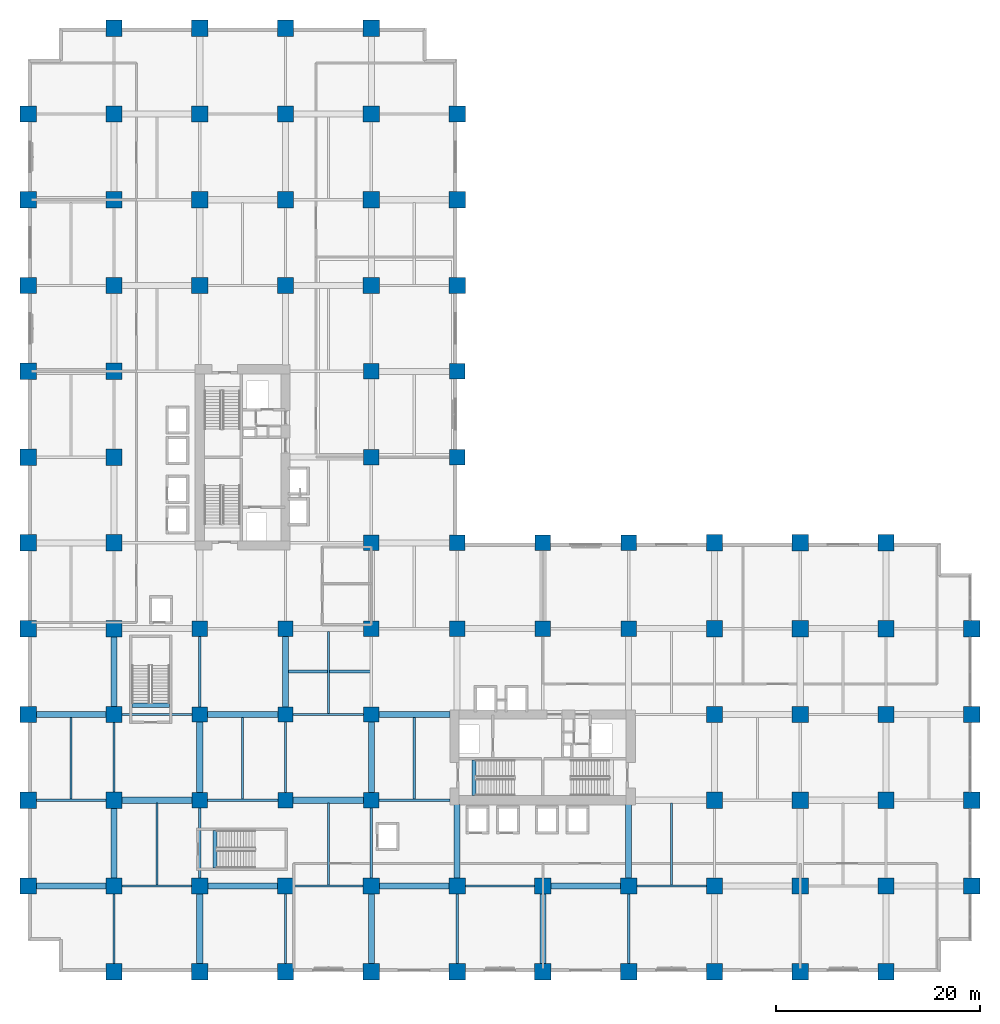
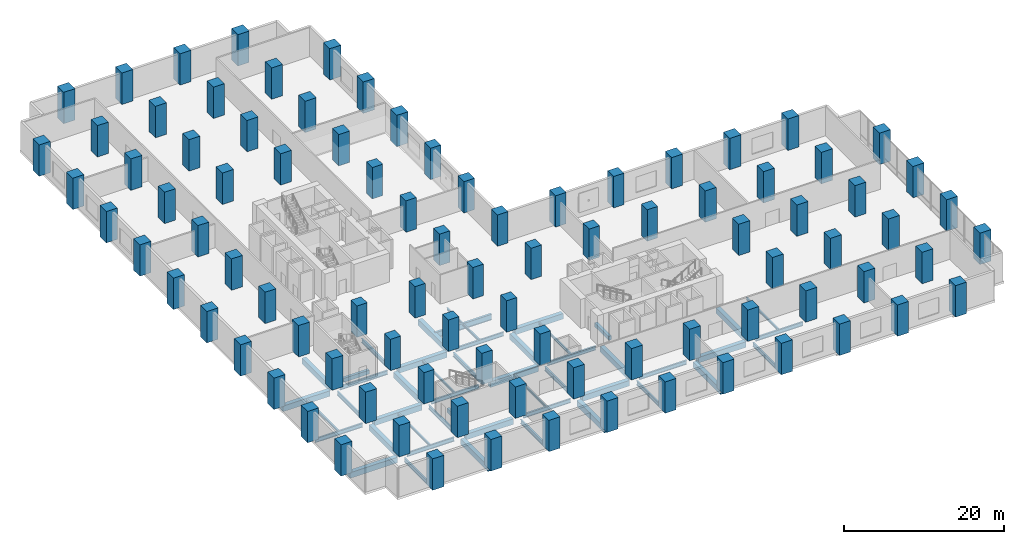
# One storey, part 1 of 22: 91 columns, 48 beams.
"""IFC4 building model written with IfcOpenShell, lengths in metres."""

from ifc_helpers import new_model, si_unit, direction, frame, origin, origin_2d, place, context, subcontext, project, spatial, rectangle, i_section, extrude, material, material_profile, profile_set, type_object, element, save


model = new_model("IFC4")

# Units and contexts
model_context = context("Model", 3, precision=1e-05, world=origin(), true_north=direction((0.0, 1.0)))
body_context = subcontext(model_context, "Body", "Model", "MODEL_VIEW")
ifc_project = project(units=[si_unit("LENGTHUNIT", "METRE"), si_unit("AREAUNIT", "SQUARE_METRE"), si_unit("VOLUMEUNIT", "CUBIC_METRE"), si_unit("PLANEANGLEUNIT", "RADIAN"), si_unit("MASSUNIT", "GRAM", prefix="KILO")], contexts=[model_context])

# Site, building, storey
site_placement = place(None, origin())
site = spatial("IfcSite", under=ifc_project, at=site_placement, CompositionType="ELEMENT")
building_placement = place(site_placement, origin())
building = spatial("IfcBuilding", under=site, at=building_placement, Name="Koriwani Terraces Tower", CompositionType="ELEMENT")
storey_placement = place(building_placement, frame((0.0, 0.0, 10.800048828125)))
storey = spatial("IfcBuildingStorey", under=building, at=storey_placement, Name="L02", CompositionType="ELEMENT", Elevation=10.800048828125)

# Columns
ifc_material_1 = material(Name="Concrete C60/75", Category="concrete")
ifc_material_profile_1 = material_profile(ifc_material_1, rectangle(XDim=1.5, YDim=1.5, at=origin_2d()), Name="Concrete C60/75", Category="LoadBearing")
ifc_profile_set_1 = profile_set([ifc_material_profile_1], Name="Concrete C60/75")
column_type_1 = type_object("IfcColumnType", Name="COL_RC_1500X1500", PredefinedType="COLUMN", material=ifc_profile_set_1)
for number, where, z_axis, x_axis, name in (
    (1, (16.800048828125, 16.800048828125, 0.0), (0.0, 0.0, 1.0), (1.0, 0.0, 0.0), "L02 Column 3/C"),
    (2, (16.800048828125, 25.199951171875, 0.0), (0.0, 0.0, 1.0), (1.0, 0.0, 0.0), "L02 Column 3/D"),
    (3, (16.800048828125, 33.60009765625, 0.0), (0.0, 0.0, 1.0), (1.0, 0.0, 0.0), "L02 Column 3/E"),
    (4, (25.199951171875, 16.800048828125, 0.0), (0.0, 0.0, 1.0), (1.0, 0.0, 0.0), "L02 Column 4/C"),
    (5, (25.199951171875, 25.199951171875, 0.0), (0.0, 0.0, 1.0), (1.0, 0.0, 0.0), "L02 Column 4/D"),
    (6, (25.199951171875, 33.60009765625, 0.0), (0.0, 0.0, 1.0), (1.0, 0.0, 0.0), "L02 Column 4/E"),
    (7, (33.60009765625, 16.800048828125, 0.0), (0.0, 0.0, 1.0), (1.0, 0.0, 0.0), "L02 Column 5/C"),
    (8, (33.60009765625, 25.199951171875, 0.0), (0.0, 0.0, 1.0), (1.0, 0.0, 0.0), "L02 Column 5/D"),
    (9, (33.60009765625, 33.60009765625, 0.0), (0.0, 0.0, 1.0), (1.0, 0.0, 0.0), "L02 Column 5/E"),
    (10, (33.60009765625, 42.0, 0.0), (0.0, 0.0, 1.0), (1.0, 0.0, 0.0), "L02 Column 5/F"),
    (11, (33.60009765625, 50.39990234375, 0.0), (0.0, 0.0, 1.0), (1.0, 0.0, 0.0), "L02 Column 5/G"),
    (12, (33.60009765625, 58.800048828125, 0.0), (0.0, 0.0, 1.0), (1.0, 0.0, 0.0), "L02 Column 5/H"),
    (13, (42.0, 33.60009765625, 0.0), (0.0, 0.0, 1.0), (1.0, 0.0, 0.0), "L02 Column 6/E"),
    (14, (42.0, 42.0, 0.0), (0.0, 0.0, 1.0), (1.0, 0.0, 0.0), "L02 Column 6/F"),
    (15, (42.0, 50.39990234375, 0.0), (0.0, 0.0, 1.0), (1.0, 0.0, 0.0), "L02 Column 6/G"),
    (16, (42.0, 58.800048828125, 0.0), (0.0, 0.0, 1.0), (1.0, 0.0, 0.0), "L02 Column 6/H"),
    (17, (50.39990234375, 33.60009765625, 0.0), (0.0, 0.0, 1.0), (1.0, 0.0, 0.0), "L02 Column 7/E"),
    (18, (50.39990234375, 42.0, 0.0), (0.0, 0.0, 1.0), (1.0, 0.0, 0.0), "L02 Column 7/F"),
    (19, (58.800048828125, 33.60009765625, 0.0), (0.0, 0.0, 1.0), (1.0, 0.0, 0.0), "L02 Column 8/E"),
    (20, (58.800048828125, 42.0, 0.0), (0.0, 0.0, 1.0), (1.0, 0.0, 0.0), "L02 Column 8/F"),
):
    element("IfcColumn", number, at=place(storey_placement, frame(where, z_axis=z_axis, x_axis=x_axis)), inside=storey, type_object=column_type_1, Name=name, PredefinedType="COLUMN", context=body_context, shape_type="SweptSolid", body=[
        extrude(rectangle(XDim=1.5, YDim=1.5, at=origin_2d()), origin(), (0.0, 0.0, 1.0), 4.800048828125),
    ])
ifc_material_profile_2 = material_profile(ifc_material_1, rectangle(XDim=1.60009765625, YDim=1.60009765625, at=origin_2d()), Name="Concrete C60/75", Category="LoadBearing")
ifc_profile_set_2 = profile_set([ifc_material_profile_2], Name="Concrete C60/75")
column_type_2 = type_object("IfcColumnType", Name="COL_RC_1600X1600", PredefinedType="COLUMN", material=ifc_profile_set_2)
for number, where, z_axis, x_axis, name in (
    (21, (0.0, 8.39990234375, 0.0), (0.0, 0.0, 1.0), (1.0, 0.0, 0.0), "L02 Column 1/B"),
    (22, (0.0, 16.800048828125, 0.0), (0.0, 0.0, 1.0), (1.0, 0.0, 0.0), "L02 Column 1/C"),
    (23, (0.0, 25.199951171875, 0.0), (0.0, 0.0, 1.0), (1.0, 0.0, 0.0), "L02 Column 1/D"),
    (24, (0.0, 33.60009765625, 0.0), (0.0, 0.0, 1.0), (1.0, 0.0, 0.0), "L02 Column 1/E"),
    (25, (0.0, 42.0, 0.0), (0.0, 0.0, 1.0), (1.0, 0.0, 0.0), "L02 Column 1/F"),
    (26, (0.0, 50.39990234375, 0.0), (0.0, 0.0, 1.0), (1.0, 0.0, 0.0), "L02 Column 1/G"),
    (27, (0.0, 58.800048828125, 0.0), (0.0, 0.0, 1.0), (1.0, 0.0, 0.0), "L02 Column 1/H"),
    (28, (0.0, 67.199951171875, 0.0), (0.0, 0.0, 1.0), (1.0, 0.0, 0.0), "L02 Column 1/I"),
    (29, (0.0, 75.60009765625, 0.0), (0.0, 0.0, 1.0), (1.0, 0.0, 0.0), "L02 Column 1/J"),
    (30, (0.0, 84.0, 0.0), (0.0, 0.0, 1.0), (1.0, 0.0, 0.0), "L02 Column 1/K"),
    (31, (8.39990234375, 0.0, 0.0), (0.0, 0.0, 1.0), (1.0, 0.0, 0.0), "L02 Column 2/A"),
    (32, (8.39990234375, 8.39990234375, 0.0), (0.0, 0.0, 1.0), (1.0, 0.0, 0.0), "L02 Column 2/B"),
    (33, (8.39990234375, 16.800048828125, 0.0), (0.0, 0.0, 1.0), (1.0, 0.0, 0.0), "L02 Column 2/C"),
    (34, (8.39990234375, 25.199951171875, 0.0), (0.0, 0.0, 1.0), (1.0, 0.0, 0.0), "L02 Column 2/D"),
    (35, (8.39990234375, 33.60009765625, 0.0), (0.0, 0.0, 1.0), (1.0, 0.0, 0.0), "L02 Column 2/E"),
    (36, (8.39990234375, 42.0, 0.0), (0.0, 0.0, 1.0), (1.0, 0.0, 0.0), "L02 Column 2/F"),
    (37, (8.39990234375, 50.39990234375, 0.0), (0.0, 0.0, 1.0), (1.0, 0.0, 0.0), "L02 Column 2/G"),
    (38, (8.39990234375, 58.800048828125, 0.0), (0.0, 0.0, 1.0), (1.0, 0.0, 0.0), "L02 Column 2/H"),
    (39, (8.39990234375, 67.199951171875, 0.0), (0.0, 0.0, 1.0), (1.0, 0.0, 0.0), "L02 Column 2/I"),
    (40, (8.39990234375, 75.60009765625, 0.0), (0.0, 0.0, 1.0), (1.0, 0.0, 0.0), "L02 Column 2/J"),
    (41, (8.39990234375, 84.0, 0.0), (0.0, 0.0, 1.0), (1.0, 0.0, 0.0), "L02 Column 2/K"),
    (42, (8.39990234375, 92.39990234375, 0.0), (0.0, 0.0, 1.0), (1.0, 0.0, 0.0), "L02 Column 2/L"),
    (43, (16.800048828125, 0.0, 0.0), (0.0, 0.0, 1.0), (1.0, 0.0, 0.0), "L02 Column 3/A"),
    (44, (16.800048828125, 8.39990234375, 0.0), (0.0, 0.0, 1.0), (1.0, 0.0, 0.0), "L02 Column 3/B"),
    (45, (16.800048828125, 67.199951171875, 0.0), (0.0, 0.0, 1.0), (1.0, 0.0, 0.0), "L02 Column 3/I"),
    (46, (16.800048828125, 75.60009765625, 0.0), (0.0, 0.0, 1.0), (1.0, 0.0, 0.0), "L02 Column 3/J"),
    (47, (16.800048828125, 84.0, 0.0), (0.0, 0.0, 1.0), (1.0, 0.0, 0.0), "L02 Column 3/K"),
    (48, (16.800048828125, 92.39990234375, 0.0), (0.0, 0.0, 1.0), (1.0, 0.0, 0.0), "L02 Column 3/L"),
    (49, (25.199951171875, 0.0, 0.0), (0.0, 0.0, 1.0), (1.0, 0.0, 0.0), "L02 Column 4/A"),
    (50, (25.199951171875, 8.39990234375, 0.0), (0.0, 0.0, 1.0), (1.0, 0.0, 0.0), "L02 Column 4/B"),
    (51, (25.199951171875, 67.199951171875, 0.0), (0.0, 0.0, 1.0), (1.0, 0.0, 0.0), "L02 Column 4/I"),
    (52, (25.199951171875, 75.60009765625, 0.0), (0.0, 0.0, 1.0), (1.0, 0.0, 0.0), "L02 Column 4/J"),
    (53, (25.199951171875, 84.0, 0.0), (0.0, 0.0, 1.0), (1.0, 0.0, 0.0), "L02 Column 4/K"),
    (54, (25.199951171875, 92.39990234375, 0.0), (0.0, 0.0, 1.0), (1.0, 0.0, 0.0), "L02 Column 4/L"),
    (55, (33.60009765625, 0.0, 0.0), (0.0, 0.0, 1.0), (1.0, 0.0, 0.0), "L02 Column 5/A"),
    (56, (33.60009765625, 8.39990234375, 0.0), (0.0, 0.0, 1.0), (1.0, 0.0, 0.0), "L02 Column 5/B"),
    (57, (33.60009765625, 67.199951171875, 0.0), (0.0, 0.0, 1.0), (1.0, 0.0, 0.0), "L02 Column 5/I"),
    (58, (33.60009765625, 75.60009765625, 0.0), (0.0, 0.0, 1.0), (1.0, 0.0, 0.0), "L02 Column 5/J"),
    (59, (33.60009765625, 84.0, 0.0), (0.0, 0.0, 1.0), (1.0, 0.0, 0.0), "L02 Column 5/K"),
    (60, (33.60009765625, 92.39990234375, 0.0), (0.0, 0.0, 1.0), (1.0, 0.0, 0.0), "L02 Column 5/L"),
    (61, (42.0, 0.0, 0.0), (0.0, 0.0, 1.0), (1.0, 0.0, 0.0), "L02 Column 6/A"),
    (62, (42.0, 8.39990234375, 0.0), (0.0, 0.0, 1.0), (1.0, 0.0, 0.0), "L02 Column 6/B"),
    (63, (42.0, 67.199951171875, 0.0), (0.0, 0.0, 1.0), (1.0, 0.0, 0.0), "L02 Column 6/I"),
    (64, (42.0, 75.60009765625, 0.0), (0.0, 0.0, 1.0), (1.0, 0.0, 0.0), "L02 Column 6/J"),
    (65, (42.0, 84.0, 0.0), (0.0, 0.0, 1.0), (1.0, 0.0, 0.0), "L02 Column 6/K"),
    (66, (50.39990234375, 0.0, 0.0), (0.0, 0.0, 1.0), (1.0, 0.0, 0.0), "L02 Column 7/A"),
    (67, (50.39990234375, 8.39990234375, 0.0), (0.0, 0.0, 1.0), (1.0, 0.0, 0.0), "L02 Column 7/B"),
    (68, (58.800048828125, 0.0, 0.0), (0.0, 0.0, 1.0), (1.0, 0.0, 0.0), "L02 Column 8/A"),
    (69, (58.800048828125, 8.39990234375, 0.0), (0.0, 0.0, 1.0), (1.0, 0.0, 0.0), "L02 Column 8/B"),
    (70, (67.199951171875, 0.0, 0.0), (0.0, 0.0, 1.0), (1.0, 0.0, 0.0), "L02 Column 9/A"),
    (71, (67.199951171875, 8.39990234375, 0.0), (0.0, 0.0, 1.0), (1.0, 0.0, 0.0), "L02 Column 9/B"),
    (72, (67.199951171875, 16.800048828125, 0.0), (0.0, 0.0, 1.0), (1.0, 0.0, 0.0), "L02 Column 9/C"),
    (73, (67.199951171875, 25.199951171875, 0.0), (0.0, 0.0, 1.0), (1.0, 0.0, 0.0), "L02 Column 9/D"),
    (74, (67.199951171875, 33.60009765625, 0.0), (0.0, 0.0, 1.0), (1.0, 0.0, 0.0), "L02 Column 9/E"),
    (75, (67.199951171875, 42.0, 0.0), (0.0, 0.0, 1.0), (1.0, 0.0, 0.0), "L02 Column 9/F"),
    (76, (75.60009765625, 0.0, 0.0), (0.0, 0.0, 1.0), (1.0, 0.0, 0.0), "L02 Column 10/A"),
    (77, (75.60009765625, 8.39990234375, 0.0), (0.0, 0.0, 1.0), (1.0, 0.0, 0.0), "L02 Column 10/B"),
    (78, (75.60009765625, 16.800048828125, 0.0), (0.0, 0.0, 1.0), (1.0, 0.0, 0.0), "L02 Column 10/C"),
    (79, (75.60009765625, 25.199951171875, 0.0), (0.0, 0.0, 1.0), (1.0, 0.0, 0.0), "L02 Column 10/D"),
    (80, (75.60009765625, 33.60009765625, 0.0), (0.0, 0.0, 1.0), (1.0, 0.0, 0.0), "L02 Column 10/E"),
    (81, (75.60009765625, 42.0, 0.0), (0.0, 0.0, 1.0), (1.0, 0.0, 0.0), "L02 Column 10/F"),
    (82, (84.0, 0.0, 0.0), (0.0, 0.0, 1.0), (1.0, 0.0, 0.0), "L02 Column 11/A"),
    (83, (84.0, 8.39990234375, 0.0), (0.0, 0.0, 1.0), (1.0, 0.0, 0.0), "L02 Column 11/B"),
    (84, (84.0, 16.800048828125, 0.0), (0.0, 0.0, 1.0), (1.0, 0.0, 0.0), "L02 Column 11/C"),
    (85, (84.0, 25.199951171875, 0.0), (0.0, 0.0, 1.0), (1.0, 0.0, 0.0), "L02 Column 11/D"),
    (86, (84.0, 33.60009765625, 0.0), (0.0, 0.0, 1.0), (1.0, 0.0, 0.0), "L02 Column 11/E"),
    (87, (84.0, 42.0, 0.0), (0.0, 0.0, 1.0), (1.0, 0.0, 0.0), "L02 Column 11/F"),
    (88, (92.39990234375, 8.39990234375, 0.0), (0.0, 0.0, 1.0), (1.0, 0.0, 0.0), "L02 Column 12/B"),
    (89, (92.39990234375, 16.800048828125, 0.0), (0.0, 0.0, 1.0), (1.0, 0.0, 0.0), "L02 Column 12/C"),
    (90, (92.39990234375, 25.199951171875, 0.0), (0.0, 0.0, 1.0), (1.0, 0.0, 0.0), "L02 Column 12/D"),
    (91, (92.39990234375, 33.60009765625, 0.0), (0.0, 0.0, 1.0), (1.0, 0.0, 0.0), "L02 Column 12/E"),
):
    element("IfcColumn", number, at=place(storey_placement, frame(where, z_axis=z_axis, x_axis=x_axis)), inside=storey, type_object=column_type_2, Name=name, PredefinedType="COLUMN", context=body_context, shape_type="SweptSolid", body=[
        extrude(rectangle(XDim=1.60009765625, YDim=1.60009765625, at=origin_2d()), origin(), (0.0, 0.0, 1.0), 4.800048828125),
    ])

# Beams
ifc_material_2 = material(Name="Concrete C40/50", Category="concrete")
ifc_material_profile_3 = material_profile(ifc_material_2, rectangle(XDim=0.39990234375, YDim=0.60009765625, at=origin_2d()), Name="Concrete C40/50", Category="LoadBearing")
ifc_profile_set_3 = profile_set([ifc_material_profile_3], Name="Concrete C40/50")
beam_type_1 = type_object("IfcBeamType", Name="BEAM_RC_GRID_400X600", PredefinedType="BEAM", material=ifc_profile_set_3)
beam_1_placement = place(storey_placement, frame((43.655029296875, 17.25, -0.300048828125), z_axis=(0.0, 1.0, 0.0), x_axis=(-1.0, 0.0, 0.0)))
element("IfcBeam", 92, at=beam_1_placement, inside=storey, type_object=beam_type_1, Name="L02 Stairwell Header Trimmer Beam ST-E1", PredefinedType="BEAM", context=body_context, shape_type="SweptSolid", body=[
    extrude(rectangle(XDim=0.39990234375, YDim=0.60009765625, at=origin_2d()), origin(), (0.0, 0.0, 1.0), 3.5),
])
for number, where, z_axis, x_axis, name in (
    (93, (10.14990234375, 26.10498046875, -0.300048828125), (1.0, 0.0, 0.0), (0.0, 1.0, 0.0), "L02 Stairwell Header Trimmer Beam ST-P1"),
    (94, (18.304931640625, 10.14990234375, -0.300048828125), (0.0, 1.0, 0.0), (-1.0, 0.0, 0.0), "L02 Stairwell Header Trimmer Beam ST-P2"),
):
    element("IfcBeam", number, at=place(storey_placement, frame(where, z_axis=z_axis, x_axis=x_axis)), inside=storey, type_object=beam_type_1, Name=name, PredefinedType="BEAM", context=body_context, shape_type="SweptSolid", body=[
        extrude(rectangle(XDim=0.39990234375, YDim=0.60009765625, at=origin_2d()), origin(), (0.0, 0.0, 1.0), 3.7001953125),
    ])
ifc_material_profile_4 = material_profile(ifc_material_1, rectangle(XDim=0.60009765625, YDim=0.85009765625, at=origin_2d()), Name="Concrete C60/75", Category="LoadBearing")
ifc_profile_set_4 = profile_set([ifc_material_profile_4], Name="Concrete C60/75")
beam_type_2 = type_object("IfcBeamType", Name="BEAM_RC_GRID_600X850", PredefinedType="BEAM", material=ifc_profile_set_4)
beam_2_placement = place(storey_placement, frame((0.780029296875, 8.39990234375, -0.775146484375), z_axis=(1.0, 0.0, 0.0), x_axis=(0.0, 1.0, 0.0)))
element("IfcBeam", 95, at=beam_2_placement, inside=storey, type_object=beam_type_2, Name="L02 Grid Beam B (0.0-8.4m)", PredefinedType="BEAM", context=body_context, shape_type="SweptSolid", body=[
    extrude(rectangle(XDim=0.60009765625, YDim=0.85009765625, at=origin_2d()), origin(), (0.0, 0.0, 1.0), 6.840087890625),
])
beam_3_placement = place(storey_placement, frame((17.580078125, 8.39990234375, -0.775146484375), z_axis=(1.0, 0.0, 0.0), x_axis=(0.0, 1.0, 0.0)))
element("IfcBeam", 96, at=beam_3_placement, inside=storey, type_object=beam_type_2, Name="L02 Grid Beam B (16.8-25.2m)", PredefinedType="BEAM", context=body_context, shape_type="SweptSolid", body=[
    extrude(rectangle(XDim=0.60009765625, YDim=0.85009765625, at=origin_2d()), origin(), (0.0, 0.0, 1.0), 6.83984375),
])
for number, where, z_axis, x_axis, name in (
    (97, (34.3798828125, 8.39990234375, -0.775146484375), (1.0, 0.0, 0.0), (0.0, 1.0, 0.0), "L02 Grid Beam B (33.6-42.0m)"),
    (98, (51.179931640625, 8.39990234375, -0.775146484375), (1.0, 0.0, 0.0), (0.0, 1.0, 0.0), "L02 Grid Beam B (50.4-58.8m)"),
):
    element("IfcBeam", number, at=place(storey_placement, frame(where, z_axis=z_axis, x_axis=x_axis)), inside=storey, type_object=beam_type_2, Name=name, PredefinedType="BEAM", context=body_context, shape_type="SweptSolid", body=[
        extrude(rectangle(XDim=0.60009765625, YDim=0.85009765625, at=origin_2d()), origin(), (0.0, 0.0, 1.0), 6.840087890625),
    ])
beam_4_placement = place(storey_placement, frame((9.179931640625, 16.800048828125, -0.775146484375), z_axis=(1.0, 0.0, 0.0), x_axis=(0.0, 1.0, 0.0)))
element("IfcBeam", 99, at=beam_4_placement, inside=storey, type_object=beam_type_2, Name="L02 Grid Beam C (8.4-16.8m)", PredefinedType="BEAM", context=body_context, shape_type="SweptSolid", body=[
    extrude(rectangle(XDim=0.60009765625, YDim=0.85009765625, at=origin_2d()), origin(), (0.0, 0.0, 1.0), 6.89013671875),
])
beam_5_placement = place(storey_placement, frame((25.929931640625, 16.800048828125, -0.775146484375), z_axis=(1.0, 0.0, 0.0), x_axis=(0.0, 1.0, 0.0)))
element("IfcBeam", 100, at=beam_5_placement, inside=storey, type_object=beam_type_2, Name="L02 Grid Beam C (25.2-33.6m)", PredefinedType="BEAM", context=body_context, shape_type="SweptSolid", body=[
    extrude(rectangle(XDim=0.60009765625, YDim=0.85009765625, at=origin_2d()), origin(), (0.0, 0.0, 1.0), 6.940185546875),
])
beam_6_placement = place(storey_placement, frame((0.780029296875, 25.199951171875, -0.775146484375), z_axis=(1.0, 0.0, 0.0), x_axis=(0.0, 1.0, 0.0)))
element("IfcBeam", 101, at=beam_6_placement, inside=storey, type_object=beam_type_2, Name="L02 Grid Beam D (0.0-8.4m)", PredefinedType="BEAM", context=body_context, shape_type="SweptSolid", body=[
    extrude(rectangle(XDim=0.60009765625, YDim=0.85009765625, at=origin_2d()), origin(), (0.0, 0.0, 1.0), 6.840087890625),
])
beam_7_placement = place(storey_placement, frame((17.530029296875, 25.199951171875, -0.775146484375), z_axis=(1.0, 0.0, 0.0), x_axis=(0.0, 1.0, 0.0)))
element("IfcBeam", 102, at=beam_7_placement, inside=storey, type_object=beam_type_2, Name="L02 Grid Beam D (16.8-25.2m)", PredefinedType="BEAM", context=body_context, shape_type="SweptSolid", body=[
    extrude(rectangle(XDim=0.60009765625, YDim=0.85009765625, at=origin_2d()), origin(), (0.0, 0.0, 1.0), 6.93994140625),
])
beam_8_placement = place(storey_placement, frame((34.330078125, 25.199951171875, -0.775146484375), z_axis=(1.0, 0.0, 0.0), x_axis=(0.0, 1.0, 0.0)))
element("IfcBeam", 103, at=beam_8_placement, inside=storey, type_object=beam_type_2, Name="L02 Grid Beam D (33.6-42.0m)", PredefinedType="BEAM", context=body_context, shape_type="SweptSolid", body=[
    extrude(rectangle(XDim=0.60009765625, YDim=0.85009765625, at=origin_2d()), origin(), (0.0, 0.0, 1.0), 6.989990234375),
])
for number, where, z_axis, x_axis, name in (
    (104, (8.39990234375, 9.179931640625, -0.775146484375), (0.0, 1.0, 0.0), (-1.0, 0.0, 0.0), "L02 Grid Beam 2 (8.4-16.8m)"),
    (105, (8.39990234375, 25.97998046875, -0.775146484375), (0.0, 1.0, 0.0), (-1.0, 0.0, 0.0), "L02 Grid Beam 2 (25.2-33.6m)"),
    (106, (16.800048828125, 0.780029296875, -0.775146484375), (0.0, 1.0, 0.0), (-1.0, 0.0, 0.0), "L02 Grid Beam 3 (0.0-8.4m)"),
):
    element("IfcBeam", number, at=place(storey_placement, frame(where, z_axis=z_axis, x_axis=x_axis)), inside=storey, type_object=beam_type_2, Name=name, PredefinedType="BEAM", context=body_context, shape_type="SweptSolid", body=[
        extrude(rectangle(XDim=0.60009765625, YDim=0.85009765625, at=origin_2d()), origin(), (0.0, 0.0, 1.0), 6.840087890625),
    ])
beam_9_placement = place(storey_placement, frame((16.800048828125, 17.530029296875, -0.775146484375), z_axis=(0.0, 1.0, 0.0), x_axis=(-1.0, 0.0, 0.0)))
element("IfcBeam", 107, at=beam_9_placement, inside=storey, type_object=beam_type_2, Name="L02 Grid Beam 3 (16.8-25.2m)", PredefinedType="BEAM", context=body_context, shape_type="SweptSolid", body=[
    extrude(rectangle(XDim=0.60009765625, YDim=0.85009765625, at=origin_2d()), origin(), (0.0, 0.0, 1.0), 6.93994140625),
])
beam_10_placement = place(storey_placement, frame((25.199951171875, 25.929931640625, -0.775146484375), z_axis=(0.0, 1.0, 0.0), x_axis=(-1.0, 0.0, 0.0)))
element("IfcBeam", 108, at=beam_10_placement, inside=storey, type_object=beam_type_2, Name="L02 Grid Beam 4 (25.2-33.6m)", PredefinedType="BEAM", context=body_context, shape_type="SweptSolid", body=[
    extrude(rectangle(XDim=0.60009765625, YDim=0.85009765625, at=origin_2d()), origin(), (0.0, 0.0, 1.0), 6.940185546875),
])
beam_11_placement = place(storey_placement, frame((33.60009765625, 0.780029296875, -0.775146484375), z_axis=(0.0, 1.0, 0.0), x_axis=(-1.0, 0.0, 0.0)))
element("IfcBeam", 109, at=beam_11_placement, inside=storey, type_object=beam_type_2, Name="L02 Grid Beam 5 (0.0-8.4m)", PredefinedType="BEAM", context=body_context, shape_type="SweptSolid", body=[
    extrude(rectangle(XDim=0.60009765625, YDim=0.85009765625, at=origin_2d()), origin(), (0.0, 0.0, 1.0), 6.840087890625),
])
beam_12_placement = place(storey_placement, frame((33.60009765625, 17.530029296875, -0.775146484375), z_axis=(0.0, 1.0, 0.0), x_axis=(-1.0, 0.0, 0.0)))
element("IfcBeam", 110, at=beam_12_placement, inside=storey, type_object=beam_type_2, Name="L02 Grid Beam 5 (16.8-25.2m)", PredefinedType="BEAM", context=body_context, shape_type="SweptSolid", body=[
    extrude(rectangle(XDim=0.60009765625, YDim=0.85009765625, at=origin_2d()), origin(), (0.0, 0.0, 1.0), 6.93994140625),
])
beam_13_placement = place(storey_placement, frame((42.0, 9.179931640625, -0.775146484375), z_axis=(0.0, 1.0, 0.0), x_axis=(-1.0, 0.0, 0.0)))
element("IfcBeam", 111, at=beam_13_placement, inside=storey, type_object=beam_type_2, Name="L02 Grid Beam 6 (8.4-16.8m)", PredefinedType="BEAM", context=body_context, shape_type="SweptSolid", body=[
    extrude(rectangle(XDim=0.60009765625, YDim=0.85009765625, at=origin_2d()), origin(), (0.0, 0.0, 1.0), 7.190185546875),
])
beam_14_placement = place(storey_placement, frame((50.39990234375, 0.780029296875, -0.775146484375), z_axis=(0.0, 1.0, 0.0), x_axis=(-1.0, 0.0, 0.0)))
element("IfcBeam", 112, at=beam_14_placement, inside=storey, type_object=beam_type_2, Name="L02 Grid Beam 7 (0.0-8.4m)", PredefinedType="BEAM", context=body_context, shape_type="SweptSolid", body=[
    extrude(rectangle(XDim=0.60009765625, YDim=0.85009765625, at=origin_2d()), origin(), (0.0, 0.0, 1.0), 6.840087890625),
])
beam_15_placement = place(storey_placement, frame((58.800048828125, 9.179931640625, -0.775146484375), z_axis=(0.0, 1.0, 0.0), x_axis=(-1.0, 0.0, 0.0)))
element("IfcBeam", 113, at=beam_15_placement, inside=storey, type_object=beam_type_2, Name="L02 Grid Beam 8 (8.4-16.8m)", PredefinedType="BEAM", context=body_context, shape_type="SweptSolid", body=[
    extrude(rectangle(XDim=0.60009765625, YDim=0.85009765625, at=origin_2d()), origin(), (0.0, 0.0, 1.0), 7.190185546875),
])
ifc_material_3 = material(Name="Steel ASTM A572 Grade 50", Category="steel")
ifc_material_profile_5 = material_profile(ifc_material_3, i_section(OverallWidth=0.205078125, OverallDepth=0.35400390625, WebThickness=0.009521484375, FlangeThickness=0.016845703125, at=origin_2d()), Name="Steel ASTM A572 Grade 50", Category="LoadBearing")
ifc_profile_set_5 = profile_set([ifc_material_profile_5], Name="Steel ASTM A572 Grade 50")
beam_type_3 = type_object("IfcBeamType", Name="STEEL_BEAM_W360X79", PredefinedType="JOIST", material=ifc_profile_set_5)
for number, where, z_axis, x_axis, name in (
    (114, (4.199951171875, 16.905517578125, -0.527099609375), (0.0, 1.0, 0.0), (-1.0, 0.0, 0.0), "L02 Secondary Steel Floor Joist X=4.2m"),
    (115, (12.60009765625, 8.505615234375, -0.527099609375), (0.0, 1.0, 0.0), (-1.0, 0.0, 0.0), "L02 Secondary Steel Floor Joist X=12.6m"),
    (116, (21.0, 16.905517578125, -0.527099609375), (0.0, 1.0, 0.0), (-1.0, 0.0, 0.0), "L02 Secondary Steel Floor Joist X=21.0m"),
    (117, (29.39990234375, 8.505615234375, -0.527099609375), (0.0, 1.0, 0.0), (-1.0, 0.0, 0.0), "L02 Secondary Steel Floor Joist X=29.4m"),
):
    element("IfcBeam", number, at=place(storey_placement, frame(where, z_axis=z_axis, x_axis=x_axis)), inside=storey, type_object=beam_type_3, Name=name, PredefinedType="JOIST", context=body_context, shape_type="SweptSolid", body=[
        extrude(i_section(OverallWidth=0.205078125, OverallDepth=0.35400390625, WebThickness=0.009521484375, FlangeThickness=0.016845703125, at=origin_2d()), origin(), (0.0, 0.0, 1.0), 8.00439453125),
    ])
beam_16_placement = place(storey_placement, frame((29.39990234375, 25.305419921875, -0.527099609375), z_axis=(0.0, 1.0, 0.0), x_axis=(-1.0, 0.0, 0.0)))
element("IfcBeam", 118, at=beam_16_placement, inside=storey, type_object=beam_type_3, Name="L02 Secondary Steel Floor Joist X=29.4m", PredefinedType="JOIST", context=body_context, shape_type="SweptSolid", body=[
    extrude(i_section(OverallWidth=0.205078125, OverallDepth=0.35400390625, WebThickness=0.009521484375, FlangeThickness=0.016845703125, at=origin_2d()), origin(), (0.0, 0.0, 1.0), 8.004638671875),
])
for number, where, z_axis, x_axis, name in (
    (119, (37.800048828125, 16.905517578125, -0.527099609375), (0.0, 1.0, 0.0), (-1.0, 0.0, 0.0), "L02 Secondary Steel Floor Joist X=37.8m"),
    (120, (63.0, 8.505615234375, -0.527099609375), (0.0, 1.0, 0.0), (-1.0, 0.0, 0.0), "L02 Secondary Steel Floor Joist X=63.0m"),
):
    element("IfcBeam", number, at=place(storey_placement, frame(where, z_axis=z_axis, x_axis=x_axis)), inside=storey, type_object=beam_type_3, Name=name, PredefinedType="JOIST", context=body_context, shape_type="SweptSolid", body=[
        extrude(i_section(OverallWidth=0.205078125, OverallDepth=0.35400390625, WebThickness=0.009521484375, FlangeThickness=0.016845703125, at=origin_2d()), origin(), (0.0, 0.0, 1.0), 8.00439453125),
    ])
ifc_material_profile_6 = material_profile(ifc_material_3, i_section(OverallWidth=0.23095703125, OverallDepth=0.616943359375, WebThickness=0.015380859375, FlangeThickness=0.0244140625, at=origin_2d()), Name="Steel ASTM A572 Grade 50", Category="LoadBearing")
ifc_profile_set_6 = profile_set([ifc_material_profile_6], Name="Steel ASTM A572 Grade 50")
beam_type_4 = type_object("IfcBeamType", Name="STEEL_BEAM_W610X195", PredefinedType="BEAM", material=ifc_profile_set_6)
for number, where, z_axis, x_axis, name in (
    (121, (9.179931640625, 8.39990234375, -0.658447265625), (1.0, 0.0, 0.0), (0.0, 1.0, 0.0), "L02 Grid Beam B (8.4-16.8m)"),
    (122, (25.97998046875, 8.39990234375, -0.658447265625), (1.0, 0.0, 0.0), (0.0, 1.0, 0.0), "L02 Grid Beam B (25.2-33.6m)"),
    (123, (42.780029296875, 8.39990234375, -0.658447265625), (1.0, 0.0, 0.0), (0.0, 1.0, 0.0), "L02 Grid Beam B (42.0-50.4m)"),
):
    element("IfcBeam", number, at=place(storey_placement, frame(where, z_axis=z_axis, x_axis=x_axis)), inside=storey, type_object=beam_type_4, Name=name, PredefinedType="BEAM", context=body_context, shape_type="SweptSolid", body=[
        extrude(i_section(OverallWidth=0.23095703125, OverallDepth=0.616943359375, WebThickness=0.015380859375, FlangeThickness=0.0244140625, at=origin_2d()), origin(), (0.0, 0.0, 1.0), 6.840087890625),
    ])
beam_17_placement = place(storey_placement, frame((59.580078125, 8.39990234375, -0.658447265625), z_axis=(1.0, 0.0, 0.0), x_axis=(0.0, 1.0, 0.0)))
element("IfcBeam", 124, at=beam_17_placement, inside=storey, type_object=beam_type_4, Name="L02 Grid Beam B (58.8-67.2m)", PredefinedType="BEAM", context=body_context, shape_type="SweptSolid", body=[
    extrude(i_section(OverallWidth=0.23095703125, OverallDepth=0.616943359375, WebThickness=0.015380859375, FlangeThickness=0.0244140625, at=origin_2d()), origin(), (0.0, 0.0, 1.0), 6.83984375),
])
beam_18_placement = place(storey_placement, frame((0.780029296875, 16.800048828125, -0.658447265625), z_axis=(1.0, 0.0, 0.0), x_axis=(0.0, 1.0, 0.0)))
element("IfcBeam", 125, at=beam_18_placement, inside=storey, type_object=beam_type_4, Name="L02 Grid Beam C (0.0-8.4m)", PredefinedType="BEAM", context=body_context, shape_type="SweptSolid", body=[
    extrude(i_section(OverallWidth=0.23095703125, OverallDepth=0.616943359375, WebThickness=0.015380859375, FlangeThickness=0.0244140625, at=origin_2d()), origin(), (0.0, 0.0, 1.0), 6.840087890625),
])
beam_19_placement = place(storey_placement, frame((17.530029296875, 16.800048828125, -0.658447265625), z_axis=(1.0, 0.0, 0.0), x_axis=(0.0, 1.0, 0.0)))
element("IfcBeam", 126, at=beam_19_placement, inside=storey, type_object=beam_type_4, Name="L02 Grid Beam C (16.8-25.2m)", PredefinedType="BEAM", context=body_context, shape_type="SweptSolid", body=[
    extrude(i_section(OverallWidth=0.23095703125, OverallDepth=0.616943359375, WebThickness=0.015380859375, FlangeThickness=0.0244140625, at=origin_2d()), origin(), (0.0, 0.0, 1.0), 6.93994140625),
])
beam_20_placement = place(storey_placement, frame((34.330078125, 16.800048828125, -0.658447265625), z_axis=(1.0, 0.0, 0.0), x_axis=(0.0, 1.0, 0.0)))
element("IfcBeam", 127, at=beam_20_placement, inside=storey, type_object=beam_type_4, Name="L02 Grid Beam C (33.6-42.0m)", PredefinedType="BEAM", context=body_context, shape_type="SweptSolid", body=[
    extrude(i_section(OverallWidth=0.23095703125, OverallDepth=0.616943359375, WebThickness=0.015380859375, FlangeThickness=0.0244140625, at=origin_2d()), origin(), (0.0, 0.0, 1.0), 6.989990234375),
])
beam_21_placement = place(storey_placement, frame((9.179931640625, 25.199951171875, -0.658447265625), z_axis=(1.0, 0.0, 0.0), x_axis=(0.0, 1.0, 0.0)))
element("IfcBeam", 128, at=beam_21_placement, inside=storey, type_object=beam_type_4, Name="L02 Grid Beam D (8.4-16.8m)", PredefinedType="BEAM", context=body_context, shape_type="SweptSolid", body=[
    extrude(i_section(OverallWidth=0.23095703125, OverallDepth=0.616943359375, WebThickness=0.015380859375, FlangeThickness=0.0244140625, at=origin_2d()), origin(), (0.0, 0.0, 1.0), 6.89013671875),
])
beam_22_placement = place(storey_placement, frame((25.929931640625, 25.199951171875, -0.658447265625), z_axis=(1.0, 0.0, 0.0), x_axis=(0.0, 1.0, 0.0)))
element("IfcBeam", 129, at=beam_22_placement, inside=storey, type_object=beam_type_4, Name="L02 Grid Beam D (25.2-33.6m)", PredefinedType="BEAM", context=body_context, shape_type="SweptSolid", body=[
    extrude(i_section(OverallWidth=0.23095703125, OverallDepth=0.616943359375, WebThickness=0.015380859375, FlangeThickness=0.0244140625, at=origin_2d()), origin(), (0.0, 0.0, 1.0), 6.940185546875),
])
beam_23_placement = place(storey_placement, frame((8.39990234375, 0.780029296875, -0.658447265625), z_axis=(0.0, 1.0, 0.0), x_axis=(-1.0, 0.0, 0.0)))
element("IfcBeam", 130, at=beam_23_placement, inside=storey, type_object=beam_type_4, Name="L02 Grid Beam 2 (0.0-8.4m)", PredefinedType="BEAM", context=body_context, shape_type="SweptSolid", body=[
    extrude(i_section(OverallWidth=0.23095703125, OverallDepth=0.616943359375, WebThickness=0.015380859375, FlangeThickness=0.0244140625, at=origin_2d()), origin(), (0.0, 0.0, 1.0), 6.840087890625),
])
beam_24_placement = place(storey_placement, frame((8.39990234375, 17.580078125, -0.658447265625), z_axis=(0.0, 1.0, 0.0), x_axis=(-1.0, 0.0, 0.0)))
element("IfcBeam", 131, at=beam_24_placement, inside=storey, type_object=beam_type_4, Name="L02 Grid Beam 2 (16.8-25.2m)", PredefinedType="BEAM", context=body_context, shape_type="SweptSolid", body=[
    extrude(i_section(OverallWidth=0.23095703125, OverallDepth=0.616943359375, WebThickness=0.015380859375, FlangeThickness=0.0244140625, at=origin_2d()), origin(), (0.0, 0.0, 1.0), 6.83984375),
])
beam_25_placement = place(storey_placement, frame((16.800048828125, 9.179931640625, -0.658447265625), z_axis=(0.0, 1.0, 0.0), x_axis=(-1.0, 0.0, 0.0)))
element("IfcBeam", 132, at=beam_25_placement, inside=storey, type_object=beam_type_4, Name="L02 Grid Beam 3 (8.4-16.8m)", PredefinedType="BEAM", context=body_context, shape_type="SweptSolid", body=[
    extrude(i_section(OverallWidth=0.23095703125, OverallDepth=0.616943359375, WebThickness=0.015380859375, FlangeThickness=0.0244140625, at=origin_2d()), origin(), (0.0, 0.0, 1.0), 6.89013671875),
])
beam_26_placement = place(storey_placement, frame((16.800048828125, 25.929931640625, -0.658447265625), z_axis=(0.0, 1.0, 0.0), x_axis=(-1.0, 0.0, 0.0)))
element("IfcBeam", 133, at=beam_26_placement, inside=storey, type_object=beam_type_4, Name="L02 Grid Beam 3 (25.2-33.6m)", PredefinedType="BEAM", context=body_context, shape_type="SweptSolid", body=[
    extrude(i_section(OverallWidth=0.23095703125, OverallDepth=0.616943359375, WebThickness=0.015380859375, FlangeThickness=0.0244140625, at=origin_2d()), origin(), (0.0, 0.0, 1.0), 6.940185546875),
])
beam_27_placement = place(storey_placement, frame((25.199951171875, 0.780029296875, -0.658447265625), z_axis=(0.0, 1.0, 0.0), x_axis=(-1.0, 0.0, 0.0)))
element("IfcBeam", 134, at=beam_27_placement, inside=storey, type_object=beam_type_4, Name="L02 Grid Beam 4 (0.0-8.4m)", PredefinedType="BEAM", context=body_context, shape_type="SweptSolid", body=[
    extrude(i_section(OverallWidth=0.23095703125, OverallDepth=0.616943359375, WebThickness=0.015380859375, FlangeThickness=0.0244140625, at=origin_2d()), origin(), (0.0, 0.0, 1.0), 6.840087890625),
])
beam_28_placement = place(storey_placement, frame((25.199951171875, 17.530029296875, -0.658447265625), z_axis=(0.0, 1.0, 0.0), x_axis=(-1.0, 0.0, 0.0)))
element("IfcBeam", 135, at=beam_28_placement, inside=storey, type_object=beam_type_4, Name="L02 Grid Beam 4 (16.8-25.2m)", PredefinedType="BEAM", context=body_context, shape_type="SweptSolid", body=[
    extrude(i_section(OverallWidth=0.23095703125, OverallDepth=0.616943359375, WebThickness=0.015380859375, FlangeThickness=0.0244140625, at=origin_2d()), origin(), (0.0, 0.0, 1.0), 6.93994140625),
])
beam_29_placement = place(storey_placement, frame((33.60009765625, 9.179931640625, -0.658447265625), z_axis=(0.0, 1.0, 0.0), x_axis=(-1.0, 0.0, 0.0)))
element("IfcBeam", 136, at=beam_29_placement, inside=storey, type_object=beam_type_4, Name="L02 Grid Beam 5 (8.4-16.8m)", PredefinedType="BEAM", context=body_context, shape_type="SweptSolid", body=[
    extrude(i_section(OverallWidth=0.23095703125, OverallDepth=0.616943359375, WebThickness=0.015380859375, FlangeThickness=0.0244140625, at=origin_2d()), origin(), (0.0, 0.0, 1.0), 6.89013671875),
])
for number, where, z_axis, x_axis, name in (
    (137, (42.0, 0.780029296875, -0.658447265625), (0.0, 1.0, 0.0), (-1.0, 0.0, 0.0), "L02 Grid Beam 6 (0.0-8.4m)"),
    (138, (58.800048828125, 0.780029296875, -0.658447265625), (0.0, 1.0, 0.0), (-1.0, 0.0, 0.0), "L02 Grid Beam 8 (0.0-8.4m)"),
):
    element("IfcBeam", number, at=place(storey_placement, frame(where, z_axis=z_axis, x_axis=x_axis)), inside=storey, type_object=beam_type_4, Name=name, PredefinedType="BEAM", context=body_context, shape_type="SweptSolid", body=[
        extrude(i_section(OverallWidth=0.23095703125, OverallDepth=0.616943359375, WebThickness=0.015380859375, FlangeThickness=0.0244140625, at=origin_2d()), origin(), (0.0, 0.0, 1.0), 6.840087890625),
    ])
ifc_material_profile_7 = material_profile(ifc_material_3, i_section(OverallWidth=0.303955078125, OverallDepth=0.903076171875, WebThickness=0.0166015625, FlangeThickness=0.02587890625, at=origin_2d()), Name="Steel ASTM A572 Grade 50", Category="LoadBearing")
ifc_profile_set_7 = profile_set([ifc_material_profile_7], Name="Steel ASTM A572 Grade 50")
beam_type_5 = type_object("IfcBeamType", Name="STEEL_BEAM_W920X271", PredefinedType="USERDEFINED", material=ifc_profile_set_7)
beam_30_placement = place(storey_placement, frame((25.280029296875, 29.39990234375, -0.801513671875), z_axis=(1.0, 0.0, 0.0), x_axis=(0.0, 1.0, 0.0)))
element("IfcBeam", 139, at=beam_30_placement, inside=storey, type_object=beam_type_5, Name="L02 Podium Collector Steel Girder (STEEL_BEAM_W920X271)", ObjectType="GIRDER", PredefinedType="USERDEFINED", context=body_context, shape_type="SweptSolid", body=[
    extrude(i_section(OverallWidth=0.303955078125, OverallDepth=0.903076171875, WebThickness=0.0166015625, FlangeThickness=0.02587890625, at=origin_2d()), origin(), (0.0, 0.0, 1.0), 8.239990234375),
])

save(model, "model.ifc")
